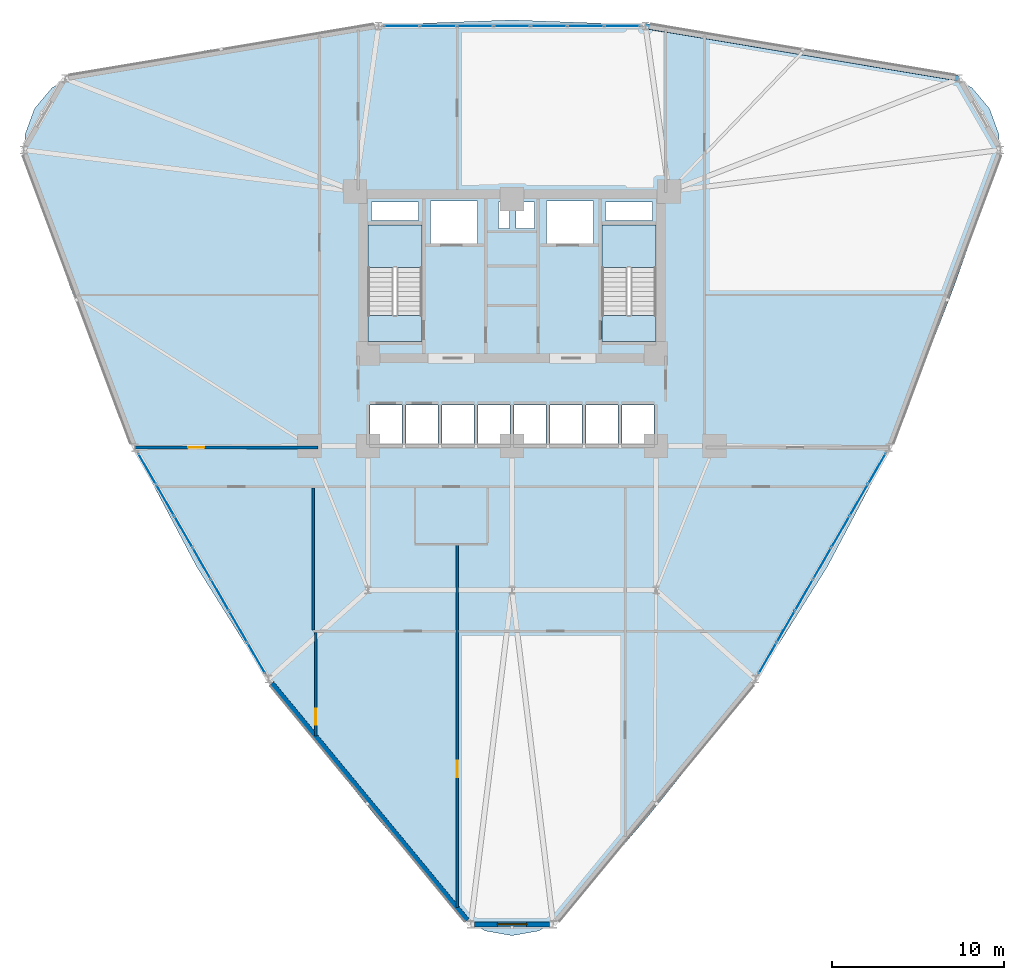
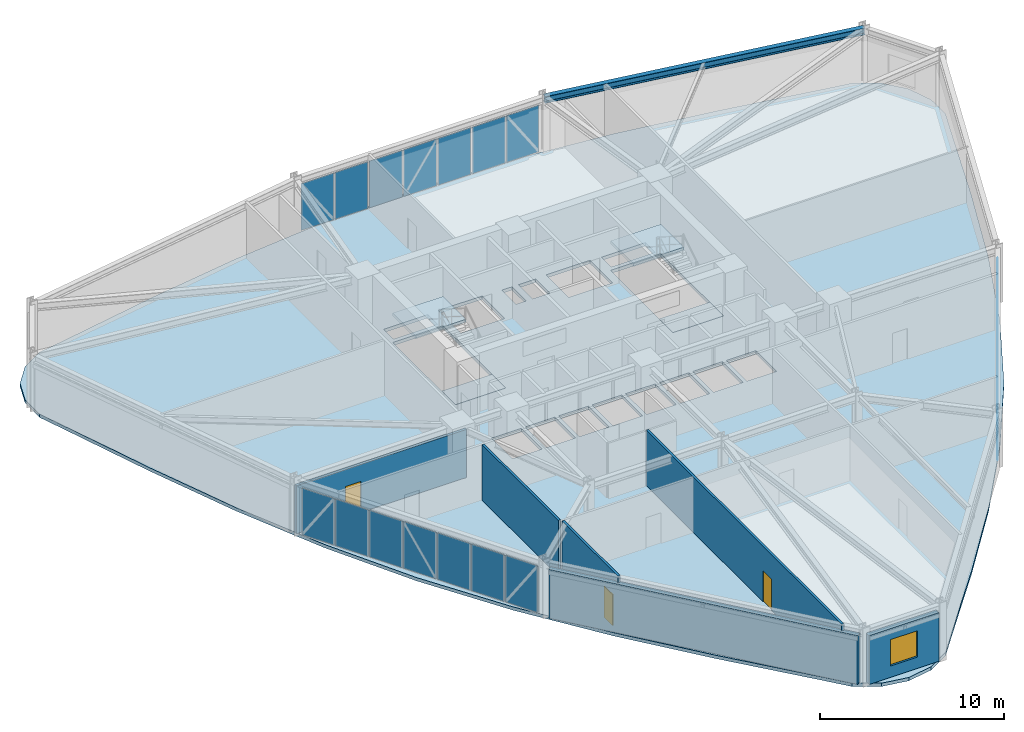
# One storey, part 15 of 22: 21 plates, 6 walls, 5 slabs, 3 doors, 1 beam, 1 window, 4 openings, 5 elements without a shape of their own.
"""IFC4 building model written with IfcOpenShell, lengths in metres."""

from ifc_helpers import new_model, si_unit, derived_unit, direction, frame, frame_2d, origin, origin_2d, place, context, subcontext, project, spatial, polyline, rectangle, i_section, outline, extrude, source, transform, mapped, material, layer, layer_set, material_profile, profile_set, type_object, element, fill, aggregate, save


model = new_model("IFC4")

# Units and contexts
model_context = context("Model", 3, precision=1e-05, world=origin(), true_north=direction((0.0, 1.0)))
body_context = subcontext(model_context, "Body", "Model", "MODEL_VIEW")
ifc_project = project(units=[si_unit("LENGTHUNIT", "METRE"), si_unit("AREAUNIT", "SQUARE_METRE"), si_unit("VOLUMEUNIT", "CUBIC_METRE"), si_unit("PLANEANGLEUNIT", "RADIAN"), si_unit("MASSUNIT", "GRAM", prefix="KILO"), derived_unit("THERMALTRANSMITTANCEUNIT", [(si_unit("POWERUNIT", "WATT"), 1), (si_unit("LENGTHUNIT", "METRE"), -2), (si_unit("THERMODYNAMICTEMPERATUREUNIT", "KELVIN"), -1)])], contexts=[model_context])

# Site, building, storey
site_placement = place(None, origin())
site = spatial("IfcSite", under=ifc_project, at=site_placement, CompositionType="ELEMENT")
building_placement = place(site_placement, origin())
building = spatial("IfcBuilding", under=site, at=building_placement, Name="Korsvarv Bourse and Concert Hall", CompositionType="ELEMENT")
storey_placement = place(building_placement, frame((0.0, 0.0, 51.300048828125)))
storey = spatial("IfcBuildingStorey", under=building, at=storey_placement, Name="L12", CompositionType="ELEMENT", Elevation=51.300048828125)

# Beam
ifc_material_1 = material(Name="Steel S355", Category="steel")
ifc_material_profile = material_profile(ifc_material_1, i_section(OverallWidth=0.300048828125, OverallDepth=0.449951171875, WebThickness=0.013916015625, FlangeThickness=0.02587890625, FilletRadius=0.02099609375, at=origin_2d()), Name="HEB 450")
ifc_profile_set = profile_set([ifc_material_profile], Name="Steel S355")
beam_type = type_object("IfcBeamType", Name="BM-HEB450", PredefinedType="SPANDREL", material=ifc_profile_set)
shared_shape_1 = source(origin(), body_context, "Body", "SweptSolid", [
    extrude(i_section(OverallWidth=0.300048828125, OverallDepth=0.449951171875, WebThickness=0.013916015625, FlangeThickness=0.02587890625, FilletRadius=0.02099609375, at=origin_2d()), origin(), (0.0, 0.0, 1.0), 18.538818359375),
])
beam_placement = place(storey_placement, frame((62.069091796875, 53.82861328125, 3.454833984375), z_axis=(-0.98627657502, 0.16510153714, 0.0), x_axis=(-0.16510153714, -0.98627657502, 0.0)))
element("IfcBeam", 1, at=beam_placement, inside=storey, type_object=beam_type, Name="L12 beam B-08", PredefinedType="SPANDREL", context=body_context, shape_type="MappedRepresentation", body=[
    mapped(shared_shape_1, transform((0.0, 0.0, 0.0), scale=1.0)),
])

# Slabs
ifc_material_2 = material(Name="Precast concrete C45/55", Category="concrete")
ifc_layer_1 = layer(ifc_material_2, 0.199951171875)
ifc_layer_set_1 = layer_set([ifc_layer_1], Name="Precast concrete C45/55")
slab_type_1 = type_object("IfcSlabType", Name="SLB-FLND-T", PredefinedType="LANDING", material=ifc_layer_set_1)
slab_1_placement = place(storey_placement, frame((0.0, 0.0, -0.199951171875)))
element("IfcSlab", 2, at=slab_1_placement, inside=storey, type_object=slab_type_1, Name="L12 Stair ST-T1 Floor Landing Slab", PredefinedType="LANDING", context=body_context, shape_type="SweptSolid", body=[
    extrude(outline(polyline([(30.760009765625, 38.5), (30.760009765625, 40.0), (27.60009765625, 40.0), (27.60009765625, 38.5), (30.760009765625, 38.5)])), origin(), (0.0, 0.0, 1.0), 0.199951171875),
])
slab_2_placement = place(storey_placement, frame((0.0, 0.0, -0.199951171875)))
element("IfcSlab", 3, at=slab_2_placement, inside=storey, type_object=slab_type_1, Name="L12 Stair ST-T2 Floor Landing Slab", PredefinedType="LANDING", context=body_context, shape_type="SweptSolid", body=[
    extrude(outline(polyline([(44.39990234375, 38.5), (44.39990234375, 40.0), (41.239990234375, 40.0), (41.239990234375, 38.5), (44.39990234375, 38.5)])), origin(), (0.0, 0.0, 1.0), 0.199951171875),
])

# Stair, slab
stair_type = type_object("IfcStairType", Name="STR-TYPE-03", PredefinedType="HALF_TURN_STAIR", material=ifc_material_2)
stair_1_placement = place(storey_placement, origin())
stair_1 = element("IfcStair", 4, at=stair_1_placement, inside=storey, type_object=stair_type, Name="L12 Tower West Exit Stair ST-T1", PredefinedType="HALF_TURN_STAIR")
ifc_layer_2 = layer(ifc_material_2, 0.199951171875)
ifc_layer_set_2 = layer_set([ifc_layer_2], Name="Precast concrete C45/55")
slab_type_2 = type_object("IfcSlabType", Name="SLB-ST-LND", PredefinedType="LANDING", material=ifc_layer_set_2)
slab_3_placement = place(storey_placement, frame((0.0, 0.0, 1.75)))
slab_3 = element("IfcSlab", 5, at=slab_3_placement, type_object=slab_type_2, Name="ST-T1 landing 1", PredefinedType="LANDING", context=body_context, shape_type="SweptSolid", body=[
    extrude(outline(polyline([(30.760009765625, 42.800048828125), (30.760009765625, 45.300048828125), (27.60009765625, 45.300048828125), (27.60009765625, 42.800048828125), (30.760009765625, 42.800048828125)])), origin(), (0.0, 0.0, 1.0), 0.199951171875),
])
aggregate(stair_1, [slab_3])

stair_2_placement = place(storey_placement, origin())
stair_2 = element("IfcStair", 6, at=stair_2_placement, inside=storey, type_object=stair_type, Name="L12 Tower East Exit Stair ST-T2", PredefinedType="HALF_TURN_STAIR")
slab_4_placement = place(storey_placement, frame((0.0, 0.0, 1.75)))
slab_4 = element("IfcSlab", 7, at=slab_4_placement, type_object=slab_type_2, Name="ST-T2 landing 1", PredefinedType="LANDING", context=body_context, shape_type="SweptSolid", body=[
    extrude(outline(polyline([(44.39990234375, 42.800048828125), (44.39990234375, 45.300048828125), (41.239990234375, 45.300048828125), (41.239990234375, 42.800048828125), (44.39990234375, 42.800048828125)])), origin(), (0.0, 0.0, 1.0), 0.199951171875),
])
aggregate(stair_2, [slab_4])

# Slab
ifc_material_3 = material(Name="Concrete C45/55", Category="concrete")
ifc_layer_3 = layer(ifc_material_3, 0.219970703125)
ifc_layer_set_3 = layer_set([ifc_layer_3], Name="Concrete C45/55")
slab_type_3 = type_object("IfcSlabType", Name="SLB-TW1", PredefinedType="FLOOR", material=ifc_layer_set_3)
slab_5_placement = place(storey_placement, frame((0.0, 0.0, -0.219970703125)))
element("IfcSlab", 8, at=slab_5_placement, inside=storey, type_object=slab_type_3, Name="L12 tower structural floor slab", PredefinedType="FLOOR", context=body_context, shape_type="SweptSolid", body=[
    extrude(outline(polyline([(63.784912109375, 47.35888671875), (61.7548828125, 41.6484375), (59.58837890625, 36.04248046875), (57.162841796875, 30.6064453125), (54.39501953125, 25.379638671875), (51.25244140625, 20.369140625), (47.757568359375, 15.550537109375), (43.985595703125, 10.871337890625), (40.05517578125, 6.258056640625), (40.05078125, 6.253173828125), (38.9326171875, 4.92041015625), (37.560546875, 4.128173828125), (36.0, 3.85302734375), (34.439453125, 4.128173828125), (33.0673828125, 4.92041015625), (31.94921875, 6.253173828125), (31.94482421875, 6.258056640625), (28.014404296875, 10.871337890625), (24.242431640625, 15.550537109375), (20.74755859375, 20.369140625), (17.60498046875, 25.379638671875), (14.837158203125, 30.6064453125), (12.41162109375, 36.04248046875), (10.2451171875, 41.6484375), (8.215087890625, 47.35888671875), (8.212890625, 47.365234375), (7.617919921875, 49.0), (7.617919921875, 50.58447265625), (8.159912109375, 52.073486328125), (9.178466796875, 53.287353515625), (10.550537109375, 54.07958984375), (12.263916015625, 54.381591796875), (12.270263671875, 54.3828125), (18.230712890625, 55.480224609375), (24.169189453125, 56.406982421875), (30.089599609375, 57.0244140625), (36.0, 57.24072265625), (41.910400390625, 57.0244140625), (47.830810546875, 56.406982421875), (53.769287109375, 55.480224609375), (59.729736328125, 54.3828125), (59.736083984375, 54.381591796875), (61.449462890625, 54.07958984375), (62.821533203125, 53.287353515625), (63.840087890625, 52.073486328125), (64.382080078125, 50.58447265625), (64.382080078125, 49.0), (63.787109375, 47.365234375), (63.784912109375, 47.35888671875)]), holes=[polyline([(30.760009765625, 38.5), (30.760009765625, 45.300048828125), (27.60009765625, 45.300048828125), (27.60009765625, 38.5), (30.760009765625, 38.5)]), polyline([(44.39990234375, 38.5), (44.39990234375, 45.300048828125), (41.239990234375, 45.300048828125), (41.239990234375, 38.5), (44.39990234375, 38.5)]), polyline([(31.239990234375, 44.219970703125), (34.0, 44.219970703125), (34.0, 46.679931640625), (31.239990234375, 46.679931640625), (31.239990234375, 44.219970703125)]), polyline([(38.0, 44.219970703125), (40.760009765625, 44.219970703125), (40.760009765625, 46.679931640625), (38.0, 46.679931640625), (38.0, 44.219970703125)]), polyline([(27.719970703125, 32.52001953125), (29.580078125, 32.52001953125), (29.580078125, 34.780029296875), (27.719970703125, 34.780029296875), (27.719970703125, 32.52001953125)]), polyline([(29.820068359375, 32.52001953125), (31.679931640625, 32.52001953125), (31.679931640625, 34.780029296875), (29.820068359375, 34.780029296875), (29.820068359375, 32.52001953125)]), polyline([(31.919921875, 32.52001953125), (33.780029296875, 32.52001953125), (33.780029296875, 34.780029296875), (31.919921875, 34.780029296875), (31.919921875, 32.52001953125)]), polyline([(34.02001953125, 32.52001953125), (35.8798828125, 32.52001953125), (35.8798828125, 34.780029296875), (34.02001953125, 34.780029296875), (34.02001953125, 32.52001953125)]), polyline([(36.1201171875, 32.52001953125), (37.97998046875, 32.52001953125), (37.97998046875, 34.780029296875), (36.1201171875, 34.780029296875), (36.1201171875, 32.52001953125)]), polyline([(38.219970703125, 32.52001953125), (40.080078125, 32.52001953125), (40.080078125, 34.780029296875), (38.219970703125, 34.780029296875), (38.219970703125, 32.52001953125)]), polyline([(40.320068359375, 32.52001953125), (42.179931640625, 32.52001953125), (42.179931640625, 34.780029296875), (40.320068359375, 34.780029296875), (40.320068359375, 32.52001953125)]), polyline([(42.419921875, 32.52001953125), (44.280029296875, 32.52001953125), (44.280029296875, 34.780029296875), (42.419921875, 34.780029296875), (42.419921875, 32.52001953125)]), polyline([(27.800048828125, 45.56005859375), (30.56005859375, 45.56005859375), (30.56005859375, 46.6201171875), (27.800048828125, 46.6201171875), (27.800048828125, 45.56005859375)]), polyline([(41.43994140625, 45.56005859375), (44.199951171875, 45.56005859375), (44.199951171875, 46.6201171875), (41.43994140625, 46.6201171875), (41.43994140625, 45.56005859375)]), polyline([(35.199951171875, 45.080078125), (35.840087890625, 45.080078125), (35.840087890625, 46.6201171875), (35.199951171875, 46.6201171875), (35.199951171875, 45.080078125)]), polyline([(36.239990234375, 45.080078125), (37.320068359375, 45.080078125), (37.320068359375, 46.6201171875), (36.239990234375, 46.6201171875), (36.239990234375, 45.080078125)])]), origin(), (0.0, 0.0, 1.0), 0.219970703125),
])

# Curtain wall, plates
ifc_material_4 = material(Name="Anodised aluminium and triple low-E glazing", Category="glass")
ifc_layer_4 = layer(ifc_material_4, 0.219970703125)
ifc_layer_set_4 = layer_set([ifc_layer_4], Name="Anodised aluminium and triple low-E glazing")
curtain_wall_type = type_object("IfcCurtainWallType", Name="CW-SYS-1", PredefinedType="NOTDEFINED", material=ifc_layer_set_4)
curtain_wall_1_placement = place(storey_placement, origin())
curtain_wall_1 = element("IfcCurtainWall", 9, at=curtain_wall_1_placement, inside=storey, type_object=curtain_wall_type, Name="L12 CW1 curtain wall CW-L12-F03", PredefinedType="NOTDEFINED")
ifc_material_5 = material(Name="Insulated spandrel glass", Category="glass")
ifc_layer_5 = layer(ifc_material_5, 0.031982421875)
ifc_layer_set_5 = layer_set([ifc_layer_5], Name="Insulated spandrel glass")
plate_type_1 = type_object("IfcPlateType", Name="CWP-SPD1", PredefinedType="CURTAIN_PANEL", material=ifc_layer_set_5)
shared_shape_2 = source(origin(), body_context, "Body", "SweptSolid", [
    extrude(rectangle(XDim=2.04443359375, YDim=0.031982421875, at=origin_2d()), origin(), (0.0, 0.0, 1.0), 3.10009765625),
])
plate_1_placement = place(storey_placement, frame((42.430419921875, 56.889404296875, 0.06494140625), z_axis=(0.0, 0.0, 1.0), x_axis=(-1.0, 0.0, 0.0)))
plate_1 = element("IfcPlate", 10, at=plate_1_placement, type_object=plate_type_1, Name="CW1 spandrel shadow-box panel 1.1", PredefinedType="CURTAIN_PANEL", context=body_context, shape_type="MappedRepresentation", body=[
    mapped(shared_shape_2, transform((0.0, 0.0, 0.0), scale=1.0)),
])
plate_2_placement = place(storey_placement, frame((29.569580078125, 56.889404296875, 0.06494140625), z_axis=(0.0, 0.0, 1.0), x_axis=(-1.0, 0.0, 0.0)))
plate_2 = element("IfcPlate", 11, at=plate_2_placement, type_object=plate_type_1, Name="CW1 spandrel shadow-box panel 7.1", PredefinedType="CURTAIN_PANEL", context=body_context, shape_type="MappedRepresentation", body=[
    mapped(shared_shape_2, transform((0.0, 0.0, 0.0), scale=1.0)),
])
ifc_material_6 = material(Name="Tempered triple insulated low-E architectural glass", Category="glass")
ifc_layer_6 = layer(ifc_material_6, 0.035888671875)
ifc_layer_set_6 = layer_set([ifc_layer_6], Name="Tempered triple insulated low-E architectural glass")
plate_type_2 = type_object("IfcPlateType", Name="CWP-VIS1", PredefinedType="CURTAIN_PANEL", material=ifc_layer_set_6)
shared_shape_3 = source(origin(), body_context, "Body", "SweptSolid", [
    extrude(rectangle(XDim=2.079345703125, YDim=0.035888671875, at=origin_2d()), origin(), (0.0, 0.0, 1.0), 3.10009765625),
])
plate_3_placement = place(storey_placement, frame((40.298583984375, 56.889404296875, 0.06494140625), z_axis=(0.0, 0.0, 1.0), x_axis=(-1.0, 0.0, 0.0)))
plate_3 = element("IfcPlate", 12, at=plate_3_placement, type_object=plate_type_2, Name="CW1 faceted panel 2.1", PredefinedType="CURTAIN_PANEL", context=body_context, shape_type="MappedRepresentation", body=[
    mapped(shared_shape_3, transform((0.0, 0.0, 0.0), scale=1.0)),
])
plate_4_placement = place(storey_placement, frame((38.1494140625, 56.889404296875, 0.06494140625), z_axis=(0.0, 0.0, 1.0), x_axis=(-1.0, 0.0, 0.0)))
plate_4 = element("IfcPlate", 13, at=plate_4_placement, type_object=plate_type_2, Name="CW1 faceted panel 3.1", PredefinedType="CURTAIN_PANEL", context=body_context, shape_type="MappedRepresentation", body=[
    mapped(shared_shape_3, transform((0.0, 0.0, 0.0), scale=1.0)),
])
plate_5_placement = place(storey_placement, frame((33.8505859375, 56.889404296875, 0.06494140625), z_axis=(0.0, 0.0, 1.0), x_axis=(-1.0, 0.0, 0.0)))
plate_5 = element("IfcPlate", 14, at=plate_5_placement, type_object=plate_type_2, Name="CW1 faceted panel 5.1", PredefinedType="CURTAIN_PANEL", context=body_context, shape_type="MappedRepresentation", body=[
    mapped(shared_shape_3, transform((0.0, 0.0, 0.0), scale=1.0)),
])
plate_6_placement = place(storey_placement, frame((31.701416015625, 56.889404296875, 0.06494140625), z_axis=(0.0, 0.0, 1.0), x_axis=(-1.0, 0.0, 0.0)))
plate_6 = element("IfcPlate", 15, at=plate_6_placement, type_object=plate_type_2, Name="CW1 faceted panel 6.1", PredefinedType="CURTAIN_PANEL", context=body_context, shape_type="MappedRepresentation", body=[
    mapped(shared_shape_3, transform((0.0, 0.0, 0.0), scale=1.0)),
])
shared_shape_4 = source(origin(), body_context, "Body", "SweptSolid", [
    extrude(rectangle(XDim=2.079345703125, YDim=0.031982421875, at=origin_2d()), origin(), (0.0, 0.0, 1.0), 3.10009765625),
])
plate_7_placement = place(storey_placement, frame((36.0, 56.889404296875, 0.06494140625), z_axis=(0.0, 0.0, 1.0), x_axis=(-1.0, 0.0, 0.0)))
plate_7 = element("IfcPlate", 16, at=plate_7_placement, type_object=plate_type_1, Name="CW1 spandrel shadow-box panel 4.1", PredefinedType="CURTAIN_PANEL", context=body_context, shape_type="MappedRepresentation", body=[
    mapped(shared_shape_4, transform((0.0, 0.0, 0.0), scale=1.0)),
])
aggregate(curtain_wall_1, [plate_1, plate_3, plate_4, plate_7, plate_5, plate_6, plate_2])

curtain_wall_2_placement = place(storey_placement, origin())
curtain_wall_2 = element("IfcCurtainWall", 17, at=curtain_wall_2_placement, inside=storey, type_object=curtain_wall_type, Name="L12 CW1 curtain wall CW-L12-F07", PredefinedType="NOTDEFINED")
shared_shape_5 = source(origin(), body_context, "Body", "SweptSolid", [
    extrude(rectangle(XDim=2.0244140625, YDim=0.031982421875, at=origin_2d()), origin(), (0.0, 0.0, 1.0), 3.10009765625),
])
plate_8_placement = place(storey_placement, frame((14.7236328125, 31.07275390625, 0.06494140625), z_axis=(0.0, 0.0, 1.0), x_axis=(0.499999833962, -0.866025499647, 0.0)))
plate_8 = element("IfcPlate", 18, at=plate_8_placement, type_object=plate_type_1, Name="CW1 spandrel shadow-box panel 1.1", PredefinedType="CURTAIN_PANEL", context=body_context, shape_type="MappedRepresentation", body=[
    mapped(shared_shape_5, transform((0.0, 0.0, 0.0), scale=1.0)),
])
plate_9_placement = place(storey_placement, frame((21.0947265625, 20.037841796875, 0.06494140625), z_axis=(0.0, 0.0, 1.0), x_axis=(0.499999833962, -0.866025499647, 0.0)))
plate_9 = element("IfcPlate", 19, at=plate_9_placement, type_object=plate_type_1, Name="CW1 spandrel shadow-box panel 7.1", PredefinedType="CURTAIN_PANEL", context=body_context, shape_type="MappedRepresentation", body=[
    mapped(shared_shape_5, transform((0.0, 0.0, 0.0), scale=1.0)),
])

curtain_wall_3_placement = place(storey_placement, origin())
curtain_wall_3 = element("IfcCurtainWall", 20, at=curtain_wall_3_placement, inside=storey, type_object=curtain_wall_type, Name="L12 CW1 curtain wall CW-L12-F11", PredefinedType="NOTDEFINED")
plate_10_placement = place(storey_placement, frame((50.9052734375, 20.037841796875, 0.06494140625), z_axis=(0.0, 0.0, 1.0), x_axis=(0.499999833962, 0.866025499647, 0.0)))
plate_10 = element("IfcPlate", 21, at=plate_10_placement, type_object=plate_type_1, Name="CW1 spandrel shadow-box panel 1.1", PredefinedType="CURTAIN_PANEL", context=body_context, shape_type="MappedRepresentation", body=[
    mapped(shared_shape_5, transform((0.0, 0.0, 0.0), scale=1.0)),
])
plate_11_placement = place(storey_placement, frame((57.2763671875, 31.07275390625, 0.06494140625), z_axis=(0.0, 0.0, 1.0), x_axis=(0.499999833962, 0.866025499647, 0.0)))
plate_11 = element("IfcPlate", 22, at=plate_11_placement, type_object=plate_type_1, Name="CW1 spandrel shadow-box panel 7.1", PredefinedType="CURTAIN_PANEL", context=body_context, shape_type="MappedRepresentation", body=[
    mapped(shared_shape_5, transform((0.0, 0.0, 0.0), scale=1.0)),
])

# Plate
shared_shape_6 = source(origin(), body_context, "Body", "SweptSolid", [
    extrude(rectangle(XDim=2.0595703125, YDim=0.035888671875, at=origin_2d()), origin(), (0.0, 0.0, 1.0), 3.10009765625),
])
plate_12_placement = place(storey_placement, frame((15.779541015625, 29.24365234375, 0.06494140625), z_axis=(0.0, 0.0, 1.0), x_axis=(0.499999833962, -0.866025499647, 0.0)))
plate_12 = element("IfcPlate", 23, at=plate_12_placement, type_object=plate_type_2, Name="CW1 faceted panel 2.1", PredefinedType="CURTAIN_PANEL", context=body_context, shape_type="MappedRepresentation", body=[
    mapped(shared_shape_6, transform((0.0, 0.0, 0.0), scale=1.0)),
])

plate_13_placement = place(storey_placement, frame((16.844482421875, 27.3994140625, 0.06494140625), z_axis=(0.0, 0.0, 1.0), x_axis=(0.499999833962, -0.866025499647, 0.0)))
plate_13 = element("IfcPlate", 24, at=plate_13_placement, type_object=plate_type_2, Name="CW1 faceted panel 3.1", PredefinedType="CURTAIN_PANEL", context=body_context, shape_type="MappedRepresentation", body=[
    mapped(shared_shape_6, transform((0.0, 0.0, 0.0), scale=1.0)),
])

plate_14_placement = place(storey_placement, frame((18.973876953125, 23.7109375, 0.06494140625), z_axis=(0.0, 0.0, 1.0), x_axis=(0.499999833962, -0.866025499647, 0.0)))
plate_14 = element("IfcPlate", 25, at=plate_14_placement, type_object=plate_type_2, Name="CW1 faceted panel 5.1", PredefinedType="CURTAIN_PANEL", context=body_context, shape_type="MappedRepresentation", body=[
    mapped(shared_shape_6, transform((0.0, 0.0, 0.0), scale=1.0)),
])

plate_15_placement = place(storey_placement, frame((20.03857421875, 21.866943359375, 0.06494140625), z_axis=(0.0, 0.0, 1.0), x_axis=(0.499999833962, -0.866025499647, 0.0)))
plate_15 = element("IfcPlate", 26, at=plate_15_placement, type_object=plate_type_2, Name="CW1 faceted panel 6.1", PredefinedType="CURTAIN_PANEL", context=body_context, shape_type="MappedRepresentation", body=[
    mapped(shared_shape_6, transform((0.0, 0.0, 0.0), scale=1.0)),
])

plate_16_placement = place(storey_placement, frame((51.96142578125, 21.866943359375, 0.06494140625), z_axis=(0.0, 0.0, 1.0), x_axis=(0.499999833962, 0.866025499647, 0.0)))
plate_16 = element("IfcPlate", 27, at=plate_16_placement, type_object=plate_type_2, Name="CW1 faceted panel 2.1", PredefinedType="CURTAIN_PANEL", context=body_context, shape_type="MappedRepresentation", body=[
    mapped(shared_shape_6, transform((0.0, 0.0, 0.0), scale=1.0)),
])

plate_17_placement = place(storey_placement, frame((53.026123046875, 23.7109375, 0.06494140625), z_axis=(0.0, 0.0, 1.0), x_axis=(0.499999833962, 0.866025499647, 0.0)))
plate_17 = element("IfcPlate", 28, at=plate_17_placement, type_object=plate_type_2, Name="CW1 faceted panel 3.1", PredefinedType="CURTAIN_PANEL", context=body_context, shape_type="MappedRepresentation", body=[
    mapped(shared_shape_6, transform((0.0, 0.0, 0.0), scale=1.0)),
])

plate_18_placement = place(storey_placement, frame((55.155517578125, 27.3994140625, 0.06494140625), z_axis=(0.0, 0.0, 1.0), x_axis=(0.499999833962, 0.866025499647, 0.0)))
plate_18 = element("IfcPlate", 29, at=plate_18_placement, type_object=plate_type_2, Name="CW1 faceted panel 5.1", PredefinedType="CURTAIN_PANEL", context=body_context, shape_type="MappedRepresentation", body=[
    mapped(shared_shape_6, transform((0.0, 0.0, 0.0), scale=1.0)),
])

plate_19_placement = place(storey_placement, frame((56.220458984375, 29.24365234375, 0.06494140625), z_axis=(0.0, 0.0, 1.0), x_axis=(0.499999833962, 0.866025499647, 0.0)))
plate_19 = element("IfcPlate", 30, at=plate_19_placement, type_object=plate_type_2, Name="CW1 faceted panel 6.1", PredefinedType="CURTAIN_PANEL", context=body_context, shape_type="MappedRepresentation", body=[
    mapped(shared_shape_6, transform((0.0, 0.0, 0.0), scale=1.0)),
])

shared_shape_7 = source(origin(), body_context, "Body", "SweptSolid", [
    extrude(rectangle(XDim=2.0595703125, YDim=0.031982421875, at=origin_2d()), origin(), (0.0, 0.0, 1.0), 3.10009765625),
])
plate_20_placement = place(storey_placement, frame((17.9091796875, 25.55517578125, 0.06494140625), z_axis=(0.0, 0.0, 1.0), x_axis=(0.499999833962, -0.866025499647, 0.0)))
plate_20 = element("IfcPlate", 31, at=plate_20_placement, type_object=plate_type_1, Name="CW1 spandrel shadow-box panel 4.1", PredefinedType="CURTAIN_PANEL", context=body_context, shape_type="MappedRepresentation", body=[
    mapped(shared_shape_7, transform((0.0, 0.0, 0.0), scale=1.0)),
])

aggregate(curtain_wall_2, [plate_8, plate_12, plate_13, plate_20, plate_14, plate_15, plate_9])

plate_21_placement = place(storey_placement, frame((54.0908203125, 25.55517578125, 0.06494140625), z_axis=(0.0, 0.0, 1.0), x_axis=(0.499999833962, 0.866025499647, 0.0)))
plate_21 = element("IfcPlate", 32, at=plate_21_placement, type_object=plate_type_1, Name="CW1 spandrel shadow-box panel 4.1", PredefinedType="CURTAIN_PANEL", context=body_context, shape_type="MappedRepresentation", body=[
    mapped(shared_shape_7, transform((0.0, 0.0, 0.0), scale=1.0)),
])

aggregate(curtain_wall_3, [plate_10, plate_16, plate_17, plate_21, plate_18, plate_19, plate_11])

# Wall, opening, window
ifc_material_7 = material(Name="Precast concrete C45/55 with terracotta rainscreen", Category="concrete")
ifc_layer_7 = layer(ifc_material_7, 0.300048828125)
ifc_layer_set_7 = layer_set([ifc_layer_7], Name="Precast concrete C45/55 with terracotta rainscreen")
wall_type_1 = type_object("IfcWallType", Name="WL-EXT-TC1", PredefinedType="SOLIDWALL", material=ifc_layer_set_7)
wall_1_placement = place(storey_placement, frame((33.811767578125, 4.509033203125, 0.0), z_axis=(0.0, 0.0, 1.0), x_axis=(1.0, 0.0, 0.0)))
wall_1 = element("IfcWall", 33, at=wall_1_placement, inside=storey, type_object=wall_type_1, Name="L12 terracotta exterior wall EW-L12-B09", PredefinedType="SOLIDWALL", context=body_context, shape_type="SweptSolid", body=[
    extrude(rectangle(XDim=4.37646484375, YDim=0.300048828125, at=frame_2d((2.188232421875, 0.0))), origin(), (0.0, 0.0, 1.0), 3.22998046875),
])
opening_1_placement = place(wall_1_placement, frame((1.33837890625, 0.0, 0.75)))
opening_1 = element("IfcOpeningElement", 34, at=opening_1_placement, cuts=wall_1, Name="Opening W-01", PredefinedType="OPENING", context=body_context, shape_type="SweptSolid", body=[
    extrude(rectangle(XDim=1.699951171875, YDim=1.75, at=frame_2d((0.85009765625, 0.875))), frame((0.0, 0.16015625, 0.0), z_axis=(0.0, -1.0, 0.0), x_axis=(1.0, 0.0, 0.0)), (0.0, 0.0, 1.0), 0.320068359375),
])
ifc_material_8 = material(Name="Thermally broken aluminium frame with triple low-E glass", Category="glass")
window_type = type_object("IfcWindowType", Name="WIN-TW1", PartitioningType="SINGLE_PANEL", PredefinedType="WINDOW", material=ifc_material_8)
window_placement = place(opening_1_placement, origin())
window = element("IfcWindow", 35, at=window_placement, inside=storey, type_object=window_type, Name="L12 punched facade window W-01", OverallHeight=1.75, OverallWidth=1.699951171875, PartitioningType="SINGLE_PANEL", PredefinedType="WINDOW", context=body_context, shape_type="SweptSolid", body=[
    extrude(rectangle(XDim=1.699951171875, YDim=1.75, at=frame_2d((0.85009765625, 0.875))), frame((0.0, 0.030029296875, 0.0), z_axis=(0.0, -1.0, 0.0), x_axis=(1.0, 0.0, 0.0)), (0.0, 0.0, 1.0), 0.06005859375),
])
fill(opening_1, window)

# Wall
ifc_material_9 = material(Name="Precast concrete C45/55 with fluted terracotta pier", Category="concrete")
ifc_layer_8 = layer(ifc_material_9, 0.280029296875)
ifc_layer_set_8 = layer_set([ifc_layer_8], Name="Precast concrete C45/55 with fluted terracotta pier")
wall_type_2 = type_object("IfcWallType", Name="WL-EXT-TC2", PredefinedType="SOLIDWALL", material=ifc_layer_set_8)
wall_2_placement = place(storey_placement, frame((22.0009765625, 18.571533203125, 0.0), z_axis=(0.0, 0.0, 1.0), x_axis=(0.636134749951, -0.771577980443, 0.0)))
element("IfcWall", 36, at=wall_2_placement, inside=storey, type_object=wall_type_2, Name="L12 terracotta exterior wall EW-L12-B08", PredefinedType="SOLIDWALL", context=body_context, shape_type="SweptSolid", body=[
    extrude(rectangle(XDim=17.911865234375, YDim=0.280029296875, at=frame_2d((8.9560546875, 0.0))), origin(), (0.0, 0.0, 1.0), 3.22998046875),
])

# Wall, opening, door
ifc_material_10 = material(Name="Double-stud fire-rated acoustic partition", Category="gypsum")
ifc_layer_9 = layer(ifc_material_10, 0.159912109375)
ifc_layer_set_9 = layer_set([ifc_layer_9], Name="Double-stud fire-rated acoustic partition")
wall_type_3 = type_object("IfcWallType", Name="WL-INT-EI60", PredefinedType="PARTITIONING", material=ifc_layer_set_9)
wall_3_placement = place(storey_placement, frame((14.030029296875, 32.31494140625, 0.0), z_axis=(0.0, 0.0, 1.0), x_axis=(1.0, 0.0, 0.0)))
wall_3 = element("IfcWall", 37, at=wall_3_placement, inside=storey, type_object=wall_type_3, Name="L12 interior partition wall W-L12-TCOR-04", PredefinedType="PARTITIONING", context=body_context, shape_type="SweptSolid", body=[
    extrude(rectangle(XDim=10.6630859375, YDim=0.159912109375, at=frame_2d((5.33154296875, 0.0))), origin(), (0.0, 0.0, 1.0), 3.179931640625),
])
opening_2_placement = place(wall_3_placement, frame((3.080078125, 0.0, 0.0)))
opening_2 = element("IfcOpeningElement", 38, at=opening_2_placement, cuts=wall_3, Name="Opening D-02", PredefinedType="OPENING", context=body_context, shape_type="SweptSolid", body=[
    extrude(rectangle(XDim=0.949951171875, YDim=2.050048828125, at=frame_2d((0.47509765625, 1.02490234375))), frame((0.0, 0.08984375, 0.0), z_axis=(0.0, -1.0, 0.0), x_axis=(1.0, 0.0, 0.0)), (0.0, 0.0, 1.0), 0.179931640625),
])
ifc_material_11 = material(Name="Timber and steel acoustic fire door", Category="wood")
door_type_1 = type_object("IfcDoorType", Name="DR-FD30", OperationType="NOTDEFINED", PredefinedType="DOOR", material=ifc_material_11)
door_1_placement = place(opening_2_placement, origin())
door_1 = element("IfcDoor", 39, at=door_1_placement, inside=storey, type_object=door_type_1, Name="L12 interior door DR-L12-TCOR-MF712", OperationType="SINGLE_SWING_LEFT", OverallHeight=2.050048828125, OverallWidth=0.949951171875, PredefinedType="DOOR", context=body_context, shape_type="SweptSolid", body=[
    extrude(rectangle(XDim=0.949951171875, YDim=2.050048828125, at=frame_2d((0.47509765625, 1.02490234375))), frame((0.0, 0.02490234375, 0.0), z_axis=(0.0, -1.0, 0.0), x_axis=(1.0, 0.0, 0.0)), (0.0, 0.0, 1.0), 0.050048828125),
])
fill(opening_2, door_1)

ifc_material_12 = material(Name="Insulated steel-stud office acoustic partition", Category="gypsum")
ifc_layer_10 = layer(ifc_material_12, 0.139892578125)
ifc_layer_set_10 = layer_set([ifc_layer_10], Name="Insulated steel-stud office acoustic partition")
wall_type_4 = type_object("IfcWallType", Name="WL-INT-P1", PredefinedType="PARTITIONING", material=ifc_layer_set_10)
wall_4_placement = place(storey_placement, frame((32.804931640625, 5.487060546875, 0.0), z_axis=(0.0, 0.0, 1.0), x_axis=(0.0, 1.0, 0.0)))
wall_4 = element("IfcWall", 40, at=wall_4_placement, inside=storey, type_object=wall_type_4, Name="L12 interior partition wall W-L12-TCOR-09", PredefinedType="PARTITIONING", context=body_context, shape_type="SweptSolid", body=[
    extrude(rectangle(XDim=21.202880859375, YDim=0.139892578125, at=frame_2d((10.6015625, 0.0))), origin(), (0.0, 0.0, 1.0), 3.679931640625),
])
opening_3_placement = place(wall_4_placement, frame((7.599609375, 0.0, 0.0)))
opening_3 = element("IfcOpeningElement", 41, at=opening_3_placement, cuts=wall_4, Name="Opening D-03", PredefinedType="OPENING", context=body_context, shape_type="SweptSolid", body=[
    extrude(rectangle(XDim=0.949951171875, YDim=2.050048828125, at=frame_2d((0.47509765625, 1.02490234375))), frame((0.0, 0.080078125, 0.0), z_axis=(0.0, -1.0, 0.0), x_axis=(1.0, 0.0, 0.0)), (0.0, 0.0, 1.0), 0.159912109375),
])
ifc_material_13 = material(Name="Nordic oak acoustic office door", Category="wood")
door_type_2 = type_object("IfcDoorType", Name="DR-INT-1", OperationType="NOTDEFINED", PredefinedType="DOOR", material=ifc_material_13)
door_2_placement = place(opening_3_placement, origin())
door_2 = element("IfcDoor", 42, at=door_2_placement, inside=storey, type_object=door_type_2, Name="L12 interior door DR-L12-TCOR-MF66", OperationType="SINGLE_SWING_RIGHT", OverallHeight=2.050048828125, OverallWidth=0.949951171875, PredefinedType="DOOR", context=body_context, shape_type="SweptSolid", body=[
    extrude(rectangle(XDim=0.949951171875, YDim=2.050048828125, at=frame_2d((0.47509765625, 1.02490234375))), frame((0.0, 0.02490234375, 0.0), z_axis=(0.0, -1.0, 0.0), x_axis=(1.0, 0.0, 0.0)), (0.0, 0.0, 1.0), 0.050048828125),
])
fill(opening_3, door_2)

# Wall
wall_5_placement = place(storey_placement, frame((24.405029296875, 21.677001953125, 0.0), z_axis=(0.0, 0.0, 1.0), x_axis=(0.0, 1.0, 0.0)))
element("IfcWall", 43, at=wall_5_placement, inside=storey, type_object=wall_type_4, Name="L12 interior partition wall W-L12-TCOR-14", PredefinedType="PARTITIONING", context=body_context, shape_type="SweptSolid", body=[
    extrude(rectangle(XDim=8.26611328125, YDim=0.139892578125, at=frame_2d((4.133056640625, 0.0))), origin(), (0.0, 0.0, 1.0), 3.679931640625),
])

# Wall, opening, door
wall_6_placement = place(storey_placement, frame((24.56494140625, 15.481689453125, 0.0), z_axis=(0.0, 0.0, 1.0), x_axis=(0.0, 1.0, 0.0)))
wall_6 = element("IfcWall", 44, at=wall_6_placement, inside=storey, type_object=wall_type_4, Name="L12 interior partition wall W-L12-TCOR-15", PredefinedType="PARTITIONING", context=body_context, shape_type="SweptSolid", body=[
    extrude(rectangle(XDim=6.05126953125, YDim=0.139892578125, at=frame_2d((3.025634765625, 0.0))), origin(), (0.0, 0.0, 1.0), 3.679931640625),
])
opening_4_placement = place(wall_6_placement, frame((0.656494140625, 0.0, 0.0)))
opening_4 = element("IfcOpeningElement", 45, at=opening_4_placement, cuts=wall_6, Name="Opening D-03", PredefinedType="OPENING", context=body_context, shape_type="SweptSolid", body=[
    extrude(rectangle(XDim=0.949951171875, YDim=2.050048828125, at=frame_2d((0.47509765625, 1.02490234375))), frame((0.0, 0.080078125, 0.0), z_axis=(0.0, -1.0, 0.0), x_axis=(1.0, 0.0, 0.0)), (0.0, 0.0, 1.0), 0.159912109375),
])
door_3_placement = place(opening_4_placement, frame((0.949951171875, 0.0, 0.0), z_axis=(0.0, 0.0, 1.0), x_axis=(-1.0, 0.0, 0.0)))
door_3 = element("IfcDoor", 46, at=door_3_placement, inside=storey, type_object=door_type_2, Name="L12 interior door DR-L12-TCOR-MF54", OperationType="SINGLE_SWING_LEFT", OverallHeight=2.050048828125, OverallWidth=0.949951171875, PredefinedType="DOOR", context=body_context, shape_type="SweptSolid", body=[
    extrude(rectangle(XDim=0.949951171875, YDim=2.050048828125, at=frame_2d((0.47509765625, 1.02490234375))), frame((0.0, 0.02490234375, 0.0), z_axis=(0.0, -1.0, 0.0), x_axis=(1.0, 0.0, 0.0)), (0.0, 0.0, 1.0), 0.050048828125),
])
fill(opening_4, door_3)

save(model, "model.ifc")
